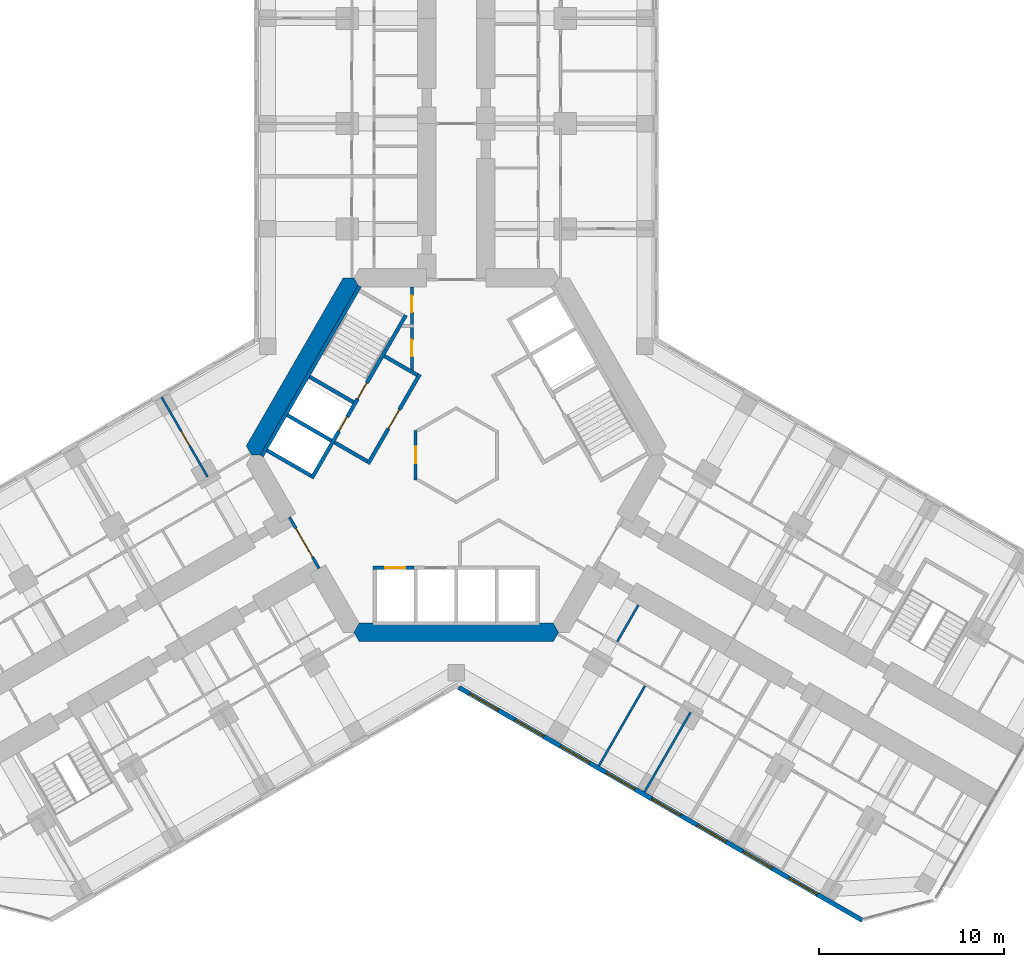
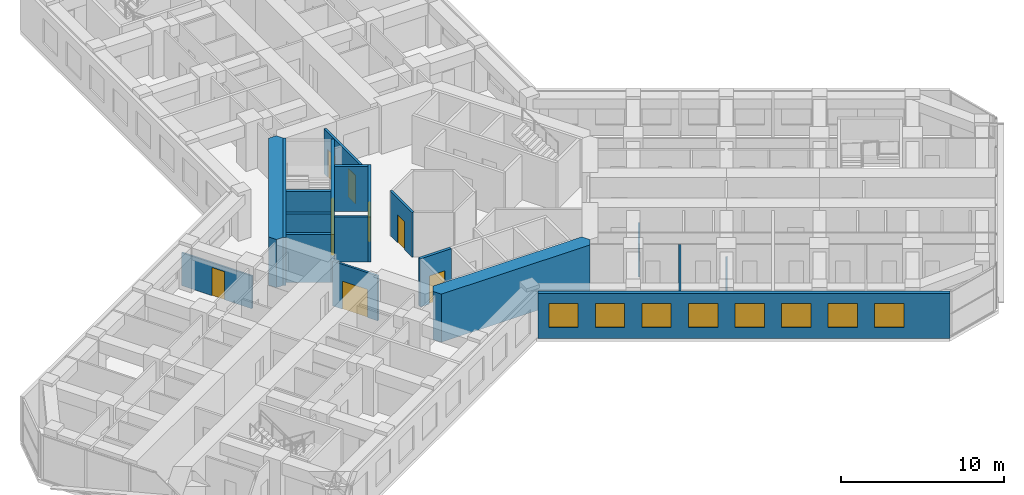
# One storey, part 13 of 21: 19 walls, 9 doors, 8 windows, 17 openings.
"""IFC4 building model written with IfcOpenShell, lengths in metres."""

from ifc_helpers import new_model, si_unit, direction, frame, frame_2d, origin, place, context, subcontext, project, spatial, polyline, rectangle, outline, extrude, material, layer, layer_set, type_object, element, fill, save


model = new_model("IFC4")

# Units and contexts
model_context = context("Model", 3, precision=1e-05, world=origin(), true_north=direction((0.0, 1.0)))
body_context = subcontext(model_context, "Body", "Model", "MODEL_VIEW")
ifc_project = project(units=[si_unit("LENGTHUNIT", "METRE"), si_unit("AREAUNIT", "SQUARE_METRE"), si_unit("VOLUMEUNIT", "CUBIC_METRE"), si_unit("PLANEANGLEUNIT", "RADIAN"), si_unit("MASSUNIT", "GRAM", prefix="KILO")], contexts=[model_context])

# Site, building, storey
site_placement = place(None, origin())
site = spatial("IfcSite", under=ifc_project, at=site_placement, CompositionType="ELEMENT")
building_placement = place(site_placement, origin())
building = spatial("IfcBuilding", under=site, at=building_placement, Name="Kosmar Iwan School Tower", CompositionType="ELEMENT")
storey_placement = place(building_placement, frame((0.0, 0.0, 106.0)))
storey = spatial("IfcBuildingStorey", under=building, at=storey_placement, Name="L26", CompositionType="ELEMENT", Elevation=106.0)

# Wall, openings, doors
ifc_material_1 = material(Name="Gypsum board on steel studs, fire-rated", Category="steel")
ifc_layer_1 = layer(ifc_material_1, 0.14990234375)
ifc_layer_set_1 = layer_set([ifc_layer_1], Name="Core room partition 150")
wall_type_1 = type_object("IfcWallType", Name="Core room partition 150", PredefinedType="PARTITIONING", material=ifc_layer_set_1)
wall_1_placement = place(storey_placement, frame((-2.39990234375, 9.094970703125, 0.0), z_axis=(0.0, 0.0, 1.0), x_axis=(0.0, -1.0, 0.0)))
wall_1 = element("IfcWall", 1, at=wall_1_placement, inside=storey, type_object=wall_type_1, Name="Core room partition L26-CW1", PredefinedType="PARTITIONING", context=body_context, shape_type="SweptSolid", body=[
    extrude(rectangle(XDim=4.564208984375, YDim=0.14990234375, at=frame_2d((2.2822265625, 0.0))), origin(), (0.0, 0.0, 1.0), 3.35009765625),
])
opening_1_placement = place(wall_1_placement, frame((0.455078125, 0.0, 0.0)))
opening_1 = element("IfcOpeningElement", 2, at=opening_1_placement, cuts=wall_1, Name="Opening D14", PredefinedType="OPENING", context=body_context, shape_type="SweptSolid", body=[
    extrude(rectangle(XDim=0.89990234375, YDim=2.10009765625, at=frame_2d((0.449951171875, 1.050048828125))), frame((0.0, 0.0869140625, 0.0), z_axis=(0.0, -1.0, 0.0), x_axis=(1.0, 0.0, 0.0)), (0.0, 0.0, 1.0), 0.173828125),
])
opening_2_placement = place(wall_1_placement, frame((2.85498046875, 0.0, 0.0)))
opening_2 = element("IfcOpeningElement", 3, at=opening_2_placement, cuts=wall_1, Name="Opening D14", PredefinedType="OPENING", context=body_context, shape_type="SweptSolid", body=[
    extrude(rectangle(XDim=0.89990234375, YDim=2.10009765625, at=frame_2d((0.449951171875, 1.050048828125))), frame((0.0, 0.0869140625, 0.0), z_axis=(0.0, -1.0, 0.0), x_axis=(1.0, 0.0, 0.0)), (0.0, 0.0, 1.0), 0.173828125),
])
ifc_material_2 = material(Name="Timber fire door in steel frame", Category="steel")
door_type_1 = type_object("IfcDoorType", Name="Core room door 900x2100", OperationType="SINGLE_SWING_LEFT", PredefinedType="DOOR", material=ifc_material_2)
door_1_placement = place(opening_1_placement, origin())
door_1 = element("IfcDoor", 4, at=door_1_placement, inside=storey, type_object=door_type_1, Name="Electrical riser and switch room door L26 1", OperationType="SINGLE_SWING_LEFT", OverallHeight=2.10009765625, OverallWidth=0.89990234375, PredefinedType="DOOR", context=body_context, shape_type="SweptSolid", body=[
    extrude(rectangle(XDim=0.89990234375, YDim=2.10009765625, at=frame_2d((0.449951171875, 1.050048828125))), frame((0.0, 0.02490234375, 0.0), z_axis=(0.0, -1.0, 0.0), x_axis=(1.0, 0.0, 0.0)), (0.0, 0.0, 1.0), 0.050048828125),
])
fill(opening_1, door_1)
door_2_placement = place(opening_2_placement, origin())
door_2 = element("IfcDoor", 5, at=door_2_placement, inside=storey, type_object=door_type_1, Name="Plumbing and wet riser door L26 2", OperationType="SINGLE_SWING_RIGHT", OverallHeight=2.10009765625, OverallWidth=0.89990234375, PredefinedType="DOOR", context=body_context, shape_type="SweptSolid", body=[
    extrude(rectangle(XDim=0.89990234375, YDim=2.10009765625, at=frame_2d((0.449951171875, 1.050048828125))), frame((0.0, 0.02490234375, 0.0), z_axis=(0.0, -1.0, 0.0), x_axis=(1.0, 0.0, 0.0)), (0.0, 0.0, 1.0), 0.050048828125),
])
fill(opening_2, door_2)

# Wall, opening, door
wall_2_placement = place(storey_placement, frame((-2.199951171875, -1.34521484375, 0.0), z_axis=(0.0, 0.0, 1.0), x_axis=(0.0, 1.0, 0.0)))
wall_2 = element("IfcWall", 6, at=wall_2_placement, inside=storey, type_object=wall_type_1, Name="Core room partition L26-CW6", PredefinedType="PARTITIONING", context=body_context, shape_type="SweptSolid", body=[
    extrude(rectangle(XDim=2.6904296875, YDim=0.14990234375, at=frame_2d((1.34521484375, 0.0))), origin(), (0.0, 0.0, 1.0), 3.35009765625),
])
opening_3_placement = place(wall_2_placement, frame((0.89501953125, 0.0, 0.0)))
opening_3 = element("IfcOpeningElement", 7, at=opening_3_placement, cuts=wall_2, Name="Opening D14", PredefinedType="OPENING", context=body_context, shape_type="SweptSolid", body=[
    extrude(rectangle(XDim=0.89990234375, YDim=2.10009765625, at=frame_2d((0.449951171875, 1.050048828125))), frame((0.0, 0.0869140625, 0.0), z_axis=(0.0, -1.0, 0.0), x_axis=(1.0, 0.0, 0.0)), (0.0, 0.0, 1.0), 0.173828125),
])
door_3_placement = place(opening_3_placement, origin())
door_3 = element("IfcDoor", 8, at=door_3_placement, inside=storey, type_object=door_type_1, Name="Parcel room door L26 3", OperationType="SINGLE_SWING_RIGHT", OverallHeight=2.10009765625, OverallWidth=0.89990234375, PredefinedType="DOOR", context=body_context, shape_type="SweptSolid", body=[
    extrude(rectangle(XDim=0.89990234375, YDim=2.10009765625, at=frame_2d((0.449951171875, 1.050048828125))), frame((0.0, 0.02490234375, 0.0), z_axis=(0.0, -1.0, 0.0), x_axis=(1.0, 0.0, 0.0)), (0.0, 0.0, 1.0), 0.050048828125),
])
fill(opening_3, door_3)

# Walls
ifc_material_3 = material(Name="Concrete C50/60", Category="concrete")
ifc_layer_2 = layer(ifc_material_3, 1.0)
ifc_layer_set_2 = layer_set([ifc_layer_2], Name="Core wall 1000")
wall_type_2 = type_object("IfcWallType", Name="Core wall 1000", PredefinedType="SHEAR", material=ifc_layer_set_2)
wall_3_placement = place(storey_placement, origin())
element("IfcWall", 9, at=wall_3_placement, inside=storey, type_object=wall_type_2, Name="Core wall F150", PredefinedType="SHEAR", context=body_context, shape_type="SweptSolid", body=[
    extrude(outline(polyline([(-11.085205078125, 0.0), (-10.5078125, 0.0), (-5.25390625, 9.10009765625), (-5.54248046875, 9.60009765625), (-6.119873046875, 9.60009765625), (-11.373779296875, 0.5), (-11.085205078125, 0.0)])), origin(), (0.0, 0.0, 1.0), 3.60009765625),
])
wall_4_placement = place(storey_placement, origin())
element("IfcWall", 10, at=wall_4_placement, inside=storey, type_object=wall_type_2, Name="Core wall F270", PredefinedType="SHEAR", context=body_context, shape_type="SweptSolid", body=[
    extrude(outline(polyline([(-5.25390625, -10.10009765625), (5.25390625, -10.10009765625), (5.54248046875, -9.60009765625), (5.25390625, -9.10009765625), (-5.25390625, -9.10009765625), (-5.54248046875, -9.60009765625), (-5.25390625, -10.10009765625)])), origin(), (0.0, 0.0, 1.0), 3.60009765625),
])

# Wall, opening, door
ifc_material_4 = material(Name="Steel framed glazed screen", Category="steel")
ifc_layer_3 = layer(ifc_material_4, 0.14990234375)
ifc_layer_set_3 = layer_set([ifc_layer_3], Name="Corridor screen wall 150")
wall_type_3 = type_object("IfcWallType", Name="Corridor screen wall 150", PredefinedType="PARTITIONING", material=ifc_layer_set_3)
wall_5_placement = place(storey_placement, frame((-9.02734375, -3.3642578125, 0.0), z_axis=(0.0, 0.0, 1.0), x_axis=(0.499995408039, -0.866028054938, 0.0)))
wall_5 = element("IfcWall", 11, at=wall_5_placement, inside=storey, type_object=wall_type_3, Name="Corridor screen B L26", PredefinedType="PARTITIONING", context=body_context, shape_type="SweptSolid", body=[
    extrude(rectangle(XDim=3.2001953125, YDim=0.14990234375, at=frame_2d((1.60009765625, 0.0))), origin(), (0.0, 0.0, 1.0), 3.35009765625),
])
opening_4_placement = place(wall_5_placement, frame((0.699951171875, 0.0, 0.0)))
opening_4 = element("IfcOpeningElement", 12, at=opening_4_placement, cuts=wall_5, Name="Opening D9", PredefinedType="OPENING", context=body_context, shape_type="SweptSolid", body=[
    extrude(rectangle(XDim=1.800048828125, YDim=2.10009765625, at=frame_2d((0.89990234375, 1.050048828125))), frame((0.0, 0.0869140625, 0.0), z_axis=(0.0, -1.0, 0.0), x_axis=(1.0, 0.0, 0.0)), (0.0, 0.0, 1.0), 0.173828125),
])
ifc_material_5 = material(Name="Steel framed glazed smoke door", Category="steel")
door_type_2 = type_object("IfcDoorType", Name="Corridor smoke door pair 1800x2100", OperationType="DOUBLE_DOOR_DOUBLE_SWING", PredefinedType="DOOR", material=ifc_material_5)
door_4_placement = place(opening_4_placement, origin())
door_4 = element("IfcDoor", 13, at=door_4_placement, inside=storey, type_object=door_type_2, Name="Corridor doors B L26", OperationType="DOUBLE_DOOR_DOUBLE_SWING", OverallHeight=2.10009765625, OverallWidth=1.800048828125, PredefinedType="DOOR", context=body_context, shape_type="SweptSolid", body=[
    extrude(rectangle(XDim=1.800048828125, YDim=2.10009765625, at=frame_2d((0.89990234375, 1.050048828125))), frame((0.0, 0.02490234375, 0.0), z_axis=(0.0, -1.0, 0.0), x_axis=(1.0, 0.0, 0.0)), (0.0, 0.0, 1.0), 0.050048828125),
])
fill(opening_4, door_4)

ifc_material_6 = material(Name="Gypsum board on steel studs", Category="steel")
ifc_layer_4 = layer(ifc_material_6, 0.1201171875)
ifc_layer_set_4 = layer_set([ifc_layer_4], Name="Dwelling partition 120")
wall_type_4 = type_object("IfcWallType", Name="Dwelling partition 120", PredefinedType="PARTITIONING", material=ifc_layer_set_4)
wall_6_placement = place(storey_placement, frame((-13.4638671875, -1.179931640625, 0.0), z_axis=(0.0, 0.0, 1.0), x_axis=(-0.499975153383, 0.86603974851, 0.0)))
wall_6 = element("IfcWall", 14, at=wall_6_placement, inside=storey, type_object=wall_type_4, Name="Partition L26-BR1-X1", PredefinedType="PARTITIONING", context=body_context, shape_type="SweptSolid", body=[
    extrude(rectangle(XDim=4.989990234375, YDim=0.1201171875, at=frame_2d((2.4951171875, 0.0))), origin(), (0.0, 0.0, 1.0), 2.449951171875),
])
opening_5_placement = place(wall_6_placement, frame((1.93994140625, 0.0, 0.0)))
opening_5 = element("IfcOpeningElement", 15, at=opening_5_placement, cuts=wall_6, Name="Opening D2", PredefinedType="OPENING", context=body_context, shape_type="SweptSolid", body=[
    extrude(rectangle(XDim=0.89990234375, YDim=2.10009765625, at=frame_2d((0.449951171875, 1.050048828125))), frame((0.0, 0.072021484375, 0.0), z_axis=(0.0, -1.0, 0.0), x_axis=(1.0, 0.0, 0.0)), (0.0, 0.0, 1.0), 0.14404296875),
])
ifc_material_7 = material(Name="Timber door in timber frame", Category="wood")
door_type_3 = type_object("IfcDoorType", Name="Internal door 900x2100", OperationType="SINGLE_SWING_LEFT", PredefinedType="DOOR", material=ifc_material_7)
door_5_placement = place(opening_5_placement, origin())
door_5 = element("IfcDoor", 16, at=door_5_placement, inside=storey, type_object=door_type_3, Name="Kitchen and dining room door L26-BR1-F1", OperationType="SINGLE_SWING_LEFT", OverallHeight=2.10009765625, OverallWidth=0.89990234375, PredefinedType="DOOR", context=body_context, shape_type="SweptSolid", body=[
    extrude(rectangle(XDim=0.89990234375, YDim=2.10009765625, at=frame_2d((0.449951171875, 1.050048828125))), frame((0.0, 0.02490234375, 0.0), z_axis=(0.0, -1.0, 0.0), x_axis=(1.0, 0.0, 0.0)), (0.0, 0.0, 1.0), 0.050048828125),
])
fill(opening_5, door_5)

# Walls
wall_7_placement = place(storey_placement, frame((10.221923828125, -12.4951171875, 0.0), z_axis=(0.0, 0.0, 1.0), x_axis=(-0.499996339024, -0.86602751744, 0.0)))
element("IfcWall", 17, at=wall_7_placement, inside=storey, type_object=wall_type_4, Name="Partition L26-CR1-X1", PredefinedType="PARTITIONING", context=body_context, shape_type="SweptSolid", body=[
    extrude(rectangle(XDim=4.98974609375, YDim=0.1201171875, at=frame_2d((2.494873046875, 0.0))), origin(), (0.0, 0.0, 1.0), 3.35009765625),
])
wall_8_placement = place(storey_placement, frame((12.690185546875, -13.919921875, 0.0), z_axis=(0.0, 0.0, 1.0), x_axis=(-0.500011847778, -0.866018563358, 0.0)))
element("IfcWall", 18, at=wall_8_placement, inside=storey, type_object=wall_type_4, Name="Partition L26-CR1-X2", PredefinedType="PARTITIONING", context=body_context, shape_type="SweptSolid", body=[
    extrude(rectangle(XDim=4.990234375, YDim=0.1201171875, at=frame_2d((2.4951171875, 0.0))), origin(), (0.0, 0.0, 1.0), 2.449951171875),
])
wall_9_placement = place(storey_placement, frame((9.86181640625, -8.11865234375, 0.0), z_axis=(0.0, 0.0, 1.0), x_axis=(-0.500014693593, -0.866016920268, 0.0)))
element("IfcWall", 19, at=wall_9_placement, inside=storey, type_object=wall_type_4, Name="Partition L26-CR1-Y1", PredefinedType="PARTITIONING", context=body_context, shape_type="SweptSolid", body=[
    extrude(rectangle(XDim=2.2900390625, YDim=0.1201171875, at=frame_2d((1.14501953125, 0.0))), origin(), (0.0, 0.0, 1.0), 2.449951171875),
])

# Wall, openings, windows
ifc_material_8 = material(Name="Black aluminium rainscreen on insulated framing", Category="aluminium")
ifc_layer_5 = layer(ifc_material_8, 0.25)
ifc_layer_set_5 = layer_set([ifc_layer_5], Name="External wall rainscreen 250")
wall_type_5 = type_object("IfcWallType", Name="External wall rainscreen 250", PredefinedType="SOLIDWALL", material=ifc_layer_set_5)
wall_10_placement = place(storey_placement, frame((0.137939453125, -12.5791015625, 0.0), z_axis=(0.0, 0.0, 1.0), x_axis=(0.866023775649, -0.500002820003, 0.0)))
wall_10 = element("IfcWall", 20, at=wall_10_placement, inside=storey, type_object=wall_type_5, Name="External wall CR L26", PredefinedType="SOLIDWALL", context=body_context, shape_type="SweptSolid", body=[
    extrude(rectangle(XDim=25.226318359375, YDim=0.25, at=frame_2d((12.61328125, 0.0))), origin(), (0.0, 0.0, 1.0), 3.35009765625),
])
opening_6_placement = place(wall_10_placement, frame((0.666015625, 0.0, 0.800048828125)))
opening_6 = element("IfcOpeningElement", 21, at=opening_6_placement, cuts=wall_10, Name="Opening W1", PredefinedType="OPENING", context=body_context, shape_type="SweptSolid", body=[
    extrude(rectangle(XDim=1.800048828125, YDim=1.800048828125, at=frame_2d((0.89990234375, 0.89990234375))), frame((0.0, 0.136962890625, 0.0), z_axis=(0.0, -1.0, 0.0), x_axis=(1.0, 0.0, 0.0)), (0.0, 0.0, 1.0), 0.27392578125),
])
opening_7_placement = place(wall_10_placement, frame((3.51611328125, 0.0, 0.800048828125)))
opening_7 = element("IfcOpeningElement", 22, at=opening_7_placement, cuts=wall_10, Name="Opening W1", PredefinedType="OPENING", context=body_context, shape_type="SweptSolid", body=[
    extrude(rectangle(XDim=1.800048828125, YDim=1.800048828125, at=frame_2d((0.89990234375, 0.89990234375))), frame((0.0, 0.136962890625, 0.0), z_axis=(0.0, -1.0, 0.0), x_axis=(1.0, 0.0, 0.0)), (0.0, 0.0, 1.0), 0.27392578125),
])
opening_8_placement = place(wall_10_placement, frame((6.365966796875, 0.0, 0.800048828125)))
opening_8 = element("IfcOpeningElement", 23, at=opening_8_placement, cuts=wall_10, Name="Opening W1", PredefinedType="OPENING", context=body_context, shape_type="SweptSolid", body=[
    extrude(rectangle(XDim=1.800048828125, YDim=1.800048828125, at=frame_2d((0.89990234375, 0.89990234375))), frame((0.0, 0.136962890625, 0.0), z_axis=(0.0, -1.0, 0.0), x_axis=(1.0, 0.0, 0.0)), (0.0, 0.0, 1.0), 0.27392578125),
])
opening_9_placement = place(wall_10_placement, frame((9.216064453125, 0.0, 0.800048828125)))
opening_9 = element("IfcOpeningElement", 24, at=opening_9_placement, cuts=wall_10, Name="Opening W1", PredefinedType="OPENING", context=body_context, shape_type="SweptSolid", body=[
    extrude(rectangle(XDim=1.800048828125, YDim=1.800048828125, at=frame_2d((0.89990234375, 0.89990234375))), frame((0.0, 0.136962890625, 0.0), z_axis=(0.0, -1.0, 0.0), x_axis=(1.0, 0.0, 0.0)), (0.0, 0.0, 1.0), 0.27392578125),
])
opening_10_placement = place(wall_10_placement, frame((12.06591796875, 0.0, 0.800048828125)))
opening_10 = element("IfcOpeningElement", 25, at=opening_10_placement, cuts=wall_10, Name="Opening W1", PredefinedType="OPENING", context=body_context, shape_type="SweptSolid", body=[
    extrude(rectangle(XDim=1.800048828125, YDim=1.800048828125, at=frame_2d((0.89990234375, 0.89990234375))), frame((0.0, 0.136962890625, 0.0), z_axis=(0.0, -1.0, 0.0), x_axis=(1.0, 0.0, 0.0)), (0.0, 0.0, 1.0), 0.27392578125),
])
opening_11_placement = place(wall_10_placement, frame((14.916015625, 0.0, 0.800048828125)))
opening_11 = element("IfcOpeningElement", 26, at=opening_11_placement, cuts=wall_10, Name="Opening W1", PredefinedType="OPENING", context=body_context, shape_type="SweptSolid", body=[
    extrude(rectangle(XDim=1.800048828125, YDim=1.800048828125, at=frame_2d((0.89990234375, 0.89990234375))), frame((0.0, 0.136962890625, 0.0), z_axis=(0.0, -1.0, 0.0), x_axis=(1.0, 0.0, 0.0)), (0.0, 0.0, 1.0), 0.27392578125),
])
opening_12_placement = place(wall_10_placement, frame((17.76611328125, 0.0, 0.800048828125)))
opening_12 = element("IfcOpeningElement", 27, at=opening_12_placement, cuts=wall_10, Name="Opening W1", PredefinedType="OPENING", context=body_context, shape_type="SweptSolid", body=[
    extrude(rectangle(XDim=1.800048828125, YDim=1.800048828125, at=frame_2d((0.89990234375, 0.89990234375))), frame((0.0, 0.136962890625, 0.0), z_axis=(0.0, -1.0, 0.0), x_axis=(1.0, 0.0, 0.0)), (0.0, 0.0, 1.0), 0.27392578125),
])
opening_13_placement = place(wall_10_placement, frame((20.615966796875, 0.0, 0.800048828125)))
opening_13 = element("IfcOpeningElement", 28, at=opening_13_placement, cuts=wall_10, Name="Opening W1", PredefinedType="OPENING", context=body_context, shape_type="SweptSolid", body=[
    extrude(rectangle(XDim=1.800048828125, YDim=1.800048828125, at=frame_2d((0.89990234375, 0.89990234375))), frame((0.0, 0.136962890625, 0.0), z_axis=(0.0, -1.0, 0.0), x_axis=(1.0, 0.0, 0.0)), (0.0, 0.0, 1.0), 0.27392578125),
])
ifc_material_9 = material(Name="Black aluminium frame with dark triple glazing", Category="aluminium")
window_type = type_object("IfcWindowType", Name="Window 1800x1800", PartitioningType="SINGLE_PANEL", PredefinedType="WINDOW", material=ifc_material_9)
window_1_placement = place(opening_6_placement, origin())
window_1 = element("IfcWindow", 29, at=window_1_placement, inside=storey, type_object=window_type, Name="Window CR L26 -1", OverallHeight=1.800048828125, OverallWidth=1.800048828125, PartitioningType="SINGLE_PANEL", PredefinedType="WINDOW", context=body_context, shape_type="SweptSolid", body=[
    extrude(rectangle(XDim=1.800048828125, YDim=1.800048828125, at=frame_2d((0.89990234375, 0.89990234375))), frame((0.0, 0.030029296875, 0.0), z_axis=(0.0, -1.0, 0.0), x_axis=(1.0, 0.0, 0.0)), (0.0, 0.0, 1.0), 0.06005859375),
])
fill(opening_6, window_1)
window_2_placement = place(opening_7_placement, origin())
window_2 = element("IfcWindow", 30, at=window_2_placement, inside=storey, type_object=window_type, Name="Window CR L26 0", OverallHeight=1.800048828125, OverallWidth=1.800048828125, PartitioningType="SINGLE_PANEL", PredefinedType="WINDOW", context=body_context, shape_type="SweptSolid", body=[
    extrude(rectangle(XDim=1.800048828125, YDim=1.800048828125, at=frame_2d((0.89990234375, 0.89990234375))), frame((0.0, 0.030029296875, 0.0), z_axis=(0.0, -1.0, 0.0), x_axis=(1.0, 0.0, 0.0)), (0.0, 0.0, 1.0), 0.06005859375),
])
fill(opening_7, window_2)
window_3_placement = place(opening_8_placement, origin())
window_3 = element("IfcWindow", 31, at=window_3_placement, inside=storey, type_object=window_type, Name="Window CR L26 1", OverallHeight=1.800048828125, OverallWidth=1.800048828125, PartitioningType="SINGLE_PANEL", PredefinedType="WINDOW", context=body_context, shape_type="SweptSolid", body=[
    extrude(rectangle(XDim=1.800048828125, YDim=1.800048828125, at=frame_2d((0.89990234375, 0.89990234375))), frame((0.0, 0.030029296875, 0.0), z_axis=(0.0, -1.0, 0.0), x_axis=(1.0, 0.0, 0.0)), (0.0, 0.0, 1.0), 0.06005859375),
])
fill(opening_8, window_3)
window_4_placement = place(opening_9_placement, origin())
window_4 = element("IfcWindow", 32, at=window_4_placement, inside=storey, type_object=window_type, Name="Window CR L26 2", OverallHeight=1.800048828125, OverallWidth=1.800048828125, PartitioningType="SINGLE_PANEL", PredefinedType="WINDOW", context=body_context, shape_type="SweptSolid", body=[
    extrude(rectangle(XDim=1.800048828125, YDim=1.800048828125, at=frame_2d((0.89990234375, 0.89990234375))), frame((0.0, 0.030029296875, 0.0), z_axis=(0.0, -1.0, 0.0), x_axis=(1.0, 0.0, 0.0)), (0.0, 0.0, 1.0), 0.06005859375),
])
fill(opening_9, window_4)
window_5_placement = place(opening_10_placement, origin())
window_5 = element("IfcWindow", 33, at=window_5_placement, inside=storey, type_object=window_type, Name="Window CR L26 3", OverallHeight=1.800048828125, OverallWidth=1.800048828125, PartitioningType="SINGLE_PANEL", PredefinedType="WINDOW", context=body_context, shape_type="SweptSolid", body=[
    extrude(rectangle(XDim=1.800048828125, YDim=1.800048828125, at=frame_2d((0.89990234375, 0.89990234375))), frame((0.0, 0.030029296875, 0.0), z_axis=(0.0, -1.0, 0.0), x_axis=(1.0, 0.0, 0.0)), (0.0, 0.0, 1.0), 0.06005859375),
])
fill(opening_10, window_5)
window_6_placement = place(opening_11_placement, origin())
window_6 = element("IfcWindow", 34, at=window_6_placement, inside=storey, type_object=window_type, Name="Window CR L26 4", OverallHeight=1.800048828125, OverallWidth=1.800048828125, PartitioningType="SINGLE_PANEL", PredefinedType="WINDOW", context=body_context, shape_type="SweptSolid", body=[
    extrude(rectangle(XDim=1.800048828125, YDim=1.800048828125, at=frame_2d((0.89990234375, 0.89990234375))), frame((0.0, 0.030029296875, 0.0), z_axis=(0.0, -1.0, 0.0), x_axis=(1.0, 0.0, 0.0)), (0.0, 0.0, 1.0), 0.06005859375),
])
fill(opening_11, window_6)
window_7_placement = place(opening_12_placement, origin())
window_7 = element("IfcWindow", 35, at=window_7_placement, inside=storey, type_object=window_type, Name="Window CR L26 5", OverallHeight=1.800048828125, OverallWidth=1.800048828125, PartitioningType="SINGLE_PANEL", PredefinedType="WINDOW", context=body_context, shape_type="SweptSolid", body=[
    extrude(rectangle(XDim=1.800048828125, YDim=1.800048828125, at=frame_2d((0.89990234375, 0.89990234375))), frame((0.0, 0.030029296875, 0.0), z_axis=(0.0, -1.0, 0.0), x_axis=(1.0, 0.0, 0.0)), (0.0, 0.0, 1.0), 0.06005859375),
])
fill(opening_12, window_7)
window_8_placement = place(opening_13_placement, origin())
window_8 = element("IfcWindow", 36, at=window_8_placement, inside=storey, type_object=window_type, Name="Window CR L26 6", OverallHeight=1.800048828125, OverallWidth=1.800048828125, PartitioningType="SINGLE_PANEL", PredefinedType="WINDOW", context=body_context, shape_type="SweptSolid", body=[
    extrude(rectangle(XDim=1.800048828125, YDim=1.800048828125, at=frame_2d((0.89990234375, 0.89990234375))), frame((0.0, 0.030029296875, 0.0), z_axis=(0.0, -1.0, 0.0), x_axis=(1.0, 0.0, 0.0)), (0.0, 0.0, 1.0), 0.06005859375),
])
fill(opening_13, window_8)

# Wall, opening, door
ifc_material_10 = material(Name="Concrete block masonry", Category="masonry")
ifc_layer_6 = layer(ifc_material_10, 0.199951171875)
ifc_layer_set_6 = layer_set([ifc_layer_6], Name="Fire lobby wall 200")
wall_type_6 = type_object("IfcWallType", Name="Fire lobby wall 200", PredefinedType="PARTITIONING", material=ifc_layer_set_6)
wall_11_placement = place(storey_placement, frame((-1.9775390625, 4.374755859375, 0.0), z_axis=(0.0, 0.0, 1.0), x_axis=(-0.500016814911, -0.866015695474, 0.0)))
wall_11 = element("IfcWall", 37, at=wall_11_placement, inside=storey, type_object=wall_type_6, Name="Firefighting lobby wall ST2", PredefinedType="PARTITIONING", context=body_context, shape_type="SweptSolid", body=[
    extrude(rectangle(XDim=5.599853515625, YDim=0.199951171875, at=frame_2d((2.7998046875, 0.0))), origin(), (0.0, 0.0, 1.0), 3.35009765625),
])
opening_14_placement = place(wall_11_placement, frame((2.199951171875, 0.0, 0.0)))
opening_14 = element("IfcOpeningElement", 38, at=opening_14_placement, cuts=wall_11, Name="Opening D7", PredefinedType="OPENING", context=body_context, shape_type="SweptSolid", body=[
    extrude(rectangle(XDim=1.199951171875, YDim=2.10009765625, at=frame_2d((0.60009765625, 1.050048828125))), frame((0.0, 0.112060546875, 0.0), z_axis=(0.0, -1.0, 0.0), x_axis=(1.0, 0.0, 0.0)), (0.0, 0.0, 1.0), 0.223876953125),
])
ifc_material_11 = material(Name="Steel fire door", Category="steel")
door_type_4 = type_object("IfcDoorType", Name="Fire lobby door 1200x2100", OperationType="SINGLE_SWING_LEFT", PredefinedType="DOOR", material=ifc_material_11)
door_6_placement = place(opening_14_placement, origin())
door_6 = element("IfcDoor", 39, at=door_6_placement, inside=storey, type_object=door_type_4, Name="Firefighting lobby door ST2 L26", OperationType="SINGLE_SWING_RIGHT", OverallHeight=2.10009765625, OverallWidth=1.199951171875, PredefinedType="DOOR", context=body_context, shape_type="SweptSolid", body=[
    extrude(rectangle(XDim=1.199951171875, YDim=2.10009765625, at=frame_2d((0.60009765625, 1.050048828125))), frame((0.0, 0.02490234375, 0.0), z_axis=(0.0, -1.0, 0.0), x_axis=(1.0, 0.0, 0.0)), (0.0, 0.0, 1.0), 0.050048828125),
])
fill(opening_14, door_6)

# Walls
wall_12_placement = place(storey_placement, frame((-2.114013671875, 4.33837890625, 0.0), z_axis=(0.0, 0.0, 1.0), x_axis=(-0.866050731258, 0.499956128963, 0.0)))
element("IfcWall", 40, at=wall_12_placement, inside=storey, type_object=wall_type_6, Name="Firefighting lobby wall ST2", PredefinedType="PARTITIONING", context=body_context, shape_type="SweptSolid", body=[
    extrude(rectangle(XDim=2.050048828125, YDim=0.199951171875, at=frame_2d((1.02490234375, 0.0))), origin(), (0.0, 0.0, 1.0), 3.35009765625),
])
wall_13_placement = place(storey_placement, frame((-4.814208984375, -0.33837890625, 0.0), z_axis=(0.0, 0.0, 1.0), x_axis=(-0.865969381856, 0.500097020274, 0.0)))
element("IfcWall", 41, at=wall_13_placement, inside=storey, type_object=wall_type_6, Name="Firefighting lobby wall ST2", PredefinedType="PARTITIONING", context=body_context, shape_type="SweptSolid", body=[
    extrude(rectangle(XDim=2.0498046875, YDim=0.199951171875, at=frame_2d((1.02490234375, 0.0))), origin(), (0.0, 0.0, 1.0), 3.35009765625),
])

# Wall, openings, doors
ifc_material_12 = material(Name="Concrete C50/60", Category="concrete")
ifc_layer_7 = layer(ifc_material_12, 0.199951171875)
ifc_layer_set_7 = layer_set([ifc_layer_7], Name="Lift shaft wall 200")
wall_type_7 = type_object("IfcWallType", Name="Lift shaft wall 200", PredefinedType="SHEAR", material=ifc_layer_set_7)
wall_14_placement = place(storey_placement, frame((-2.72607421875, 7.578369140625, 0.0), z_axis=(0.0, 0.0, 1.0), x_axis=(-0.500005610874, -0.86602216432, 0.0)))
wall_14 = element("IfcWall", 42, at=wall_14_placement, inside=storey, type_object=wall_type_7, Name="Lift and stair front wall AB", PredefinedType="SHEAR", context=body_context, shape_type="SweptSolid", body=[
    extrude(rectangle(XDim=10.2001953125, YDim=0.199951171875, at=frame_2d((5.10009765625, 0.0))), origin(), (0.0, 0.0, 1.0), 3.60009765625),
])
opening_15_placement = place(wall_14_placement, frame((6.35009765625, 0.0, 0.0)))
opening_15 = element("IfcOpeningElement", 43, at=opening_15_placement, cuts=wall_14, Name="Opening LD2", PredefinedType="OPENING", context=body_context, shape_type="SweptSolid", body=[
    extrude(rectangle(XDim=0.89990234375, YDim=2.10009765625, at=frame_2d((0.449951171875, 1.050048828125))), frame((0.0, 0.112060546875, 0.0), z_axis=(0.0, -1.0, 0.0), x_axis=(1.0, 0.0, 0.0)), (0.0, 0.0, 1.0), 0.223876953125),
])
opening_16_placement = place(wall_14_placement, frame((4.22998046875, 0.0, 0.0)))
opening_16 = element("IfcOpeningElement", 44, at=opening_16_placement, cuts=wall_14, Name="Opening D6", PredefinedType="OPENING", context=body_context, shape_type="SweptSolid", body=[
    extrude(rectangle(XDim=1.0, YDim=2.10009765625, at=frame_2d((0.5, 1.050048828125))), frame((0.0, 0.112060546875, 0.0), z_axis=(0.0, -1.0, 0.0), x_axis=(1.0, 0.0, 0.0)), (0.0, 0.0, 1.0), 0.223876953125),
])
ifc_material_13 = material(Name="Stainless steel sliding lift door", Category="steel")
door_type_5 = type_object("IfcDoorType", Name="Firefighting lift landing door 900x2100", OperationType="SLIDING_TO_LEFT", PredefinedType="DOOR", material=ifc_material_13)
door_7_placement = place(opening_15_placement, origin())
door_7 = element("IfcDoor", 45, at=door_7_placement, inside=storey, type_object=door_type_5, Name="Lift FF2 landing door L26", OperationType="SLIDING_TO_LEFT", OverallHeight=2.10009765625, OverallWidth=0.89990234375, PredefinedType="DOOR", context=body_context, shape_type="SweptSolid", body=[
    extrude(rectangle(XDim=0.89990234375, YDim=2.10009765625, at=frame_2d((0.449951171875, 1.050048828125))), frame((0.0, 0.02490234375, 0.0), z_axis=(0.0, -1.0, 0.0), x_axis=(1.0, 0.0, 0.0)), (0.0, 0.0, 1.0), 0.050048828125),
])
fill(opening_15, door_7)
ifc_material_14 = material(Name="Steel fire door", Category="steel")
door_type_6 = type_object("IfcDoorType", Name="Stair door 1000x2100", OperationType="SINGLE_SWING_LEFT", PredefinedType="DOOR", material=ifc_material_14)
door_8_placement = place(opening_16_placement, origin())
door_8 = element("IfcDoor", 46, at=door_8_placement, inside=storey, type_object=door_type_6, Name="Stair ST2 door L26", OperationType="SINGLE_SWING_LEFT", OverallHeight=2.10009765625, OverallWidth=1.0, PredefinedType="DOOR", context=body_context, shape_type="SweptSolid", body=[
    extrude(rectangle(XDim=1.0, YDim=2.10009765625, at=frame_2d((0.5, 1.050048828125))), frame((0.0, 0.02490234375, 0.0), z_axis=(0.0, -1.0, 0.0), x_axis=(1.0, 0.0, 0.0)), (0.0, 0.0, 1.0), 0.050048828125),
])
fill(opening_16, door_8)

# Walls
wall_15_placement = place(storey_placement, frame((-5.22509765625, 9.14990234375, 0.0), z_axis=(0.0, 0.0, 1.0), x_axis=(-0.499994998079, -0.866028291626, 0.0)))
element("IfcWall", 47, at=wall_15_placement, inside=storey, type_object=wall_type_7, Name="Lift and stair back wall AB", PredefinedType="SHEAR", context=body_context, shape_type="SweptSolid", body=[
    extrude(rectangle(XDim=10.623046875, YDim=0.199951171875, at=frame_2d((5.3115234375, 0.0))), origin(), (0.0, 0.0, 1.0), 3.60009765625),
])
for number, where, z_axis, x_axis, name in (
    (48, (-6.7626953125, 0.78662109375, 0.0), (0.0, 0.0, 1.0), (-0.866027397988, 0.499996545922, 0.0), "Lift shaft wall AB 1"),
    (49, (-7.862548828125, -1.118408203125, 0.0), (0.0, 0.0, 1.0), (-0.866027397988, 0.499996545922, 0.0), "Lift shaft wall AB 2"),
):
    element("IfcWall", number, at=place(storey_placement, frame(where, z_axis=z_axis, x_axis=x_axis)), inside=storey, type_object=wall_type_7, Name=name, PredefinedType="SHEAR", context=body_context, shape_type="SweptSolid", body=[
        extrude(rectangle(XDim=2.75, YDim=0.199951171875, at=frame_2d((1.375, 0.0))), origin(), (0.0, 0.0, 1.0), 3.60009765625),
    ])

# Wall, opening, door
wall_16_placement = place(storey_placement, frame((-4.5, -6.10009765625, 0.0), z_axis=(0.0, 0.0, 1.0), x_axis=(1.0, 0.0, 0.0)))
wall_16 = element("IfcWall", 50, at=wall_16_placement, inside=storey, type_object=wall_type_7, Name="Lift and stair front wall BC", PredefinedType="SHEAR", context=body_context, shape_type="SweptSolid", body=[
    extrude(rectangle(XDim=2.199951171875, YDim=0.199951171875, at=frame_2d((1.10009765625, 0.0))), origin(), (0.0, 0.0, 1.0), 3.60009765625),
])
opening_17_placement = place(wall_16_placement, frame((0.64990234375, 0.0, 0.0)))
opening_17 = element("IfcOpeningElement", 51, at=opening_17_placement, cuts=wall_16, Name="Opening LD1", PredefinedType="OPENING", context=body_context, shape_type="SweptSolid", body=[
    extrude(rectangle(XDim=1.10009765625, YDim=2.10009765625, at=frame_2d((0.550048828125, 1.050048828125))), frame((0.0, 0.112060546875, 0.0), z_axis=(0.0, -1.0, 0.0), x_axis=(1.0, 0.0, 0.0)), (0.0, 0.0, 1.0), 0.223876953125),
])
ifc_material_15 = material(Name="Stainless steel sliding lift door", Category="steel")
door_type_7 = type_object("IfcDoorType", Name="Lift landing door 1100x2100", OperationType="SLIDING_TO_LEFT", PredefinedType="DOOR", material=ifc_material_15)
door_9_placement = place(opening_17_placement, origin())
door_9 = element("IfcDoor", 52, at=door_9_placement, inside=storey, type_object=door_type_7, Name="Lift PL1 landing door L26", OperationType="SLIDING_TO_LEFT", OverallHeight=2.10009765625, OverallWidth=1.10009765625, PredefinedType="DOOR", context=body_context, shape_type="SweptSolid", body=[
    extrude(rectangle(XDim=1.10009765625, YDim=2.10009765625, at=frame_2d((0.550048828125, 1.050048828125))), frame((0.0, 0.02490234375, 0.0), z_axis=(0.0, -1.0, 0.0), x_axis=(1.0, 0.0, 0.0)), (0.0, 0.0, 1.0), 0.050048828125),
])
fill(opening_17, door_9)

# Wall
ifc_material_16 = material(Name="Concrete C50/60", Category="concrete")
ifc_layer_8 = layer(ifc_material_16, 0.199951171875)
ifc_layer_set_8 = layer_set([ifc_layer_8], Name="Stair enclosure wall 200")
wall_type_8 = type_object("IfcWallType", Name="Stair enclosure wall 200", PredefinedType="SHEAR", material=ifc_layer_set_8)
wall_17_placement = place(storey_placement, frame((-5.562744140625, 2.865234375, 0.0), z_axis=(0.0, 0.0, 1.0), x_axis=(-0.866027397988, 0.499996545922, 0.0)))
element("IfcWall", 53, at=wall_17_placement, inside=storey, type_object=wall_type_8, Name="Stair ST2 wall", PredefinedType="SHEAR", context=body_context, shape_type="SweptSolid", body=[
    extrude(rectangle(XDim=2.75, YDim=0.199951171875, at=frame_2d((1.375, 0.0))), origin(), (0.0, 0.0, 1.0), 3.60009765625),
])

save(model, "model.ifc")
